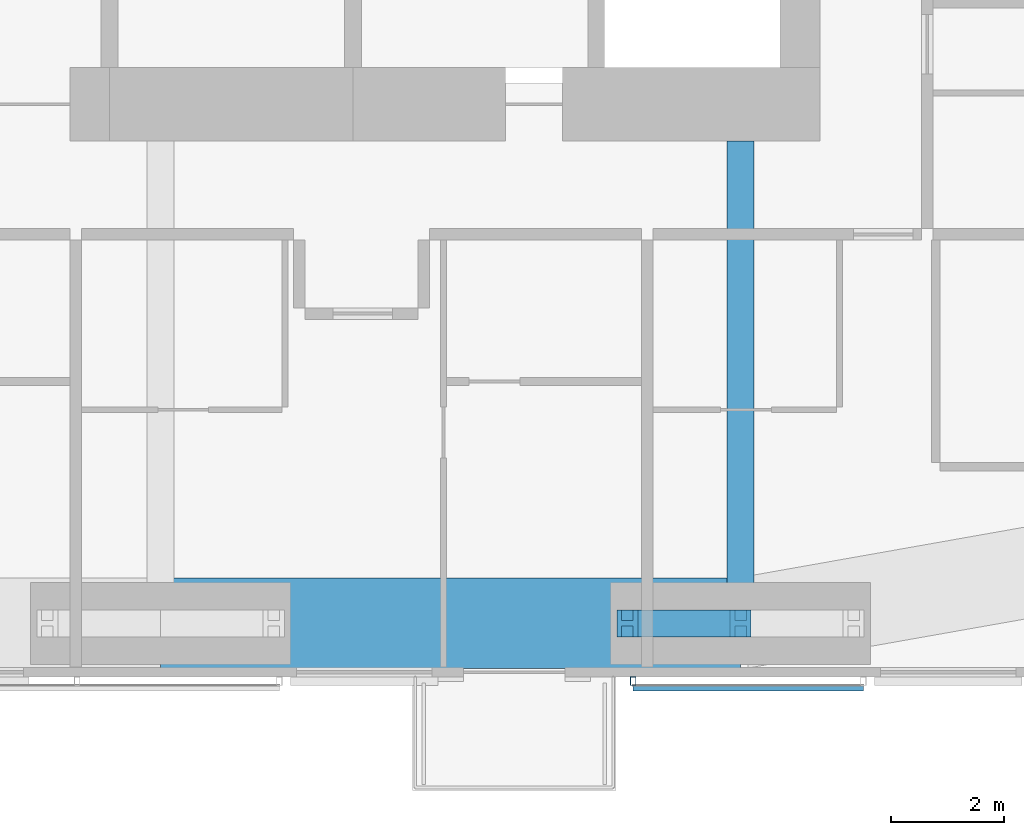
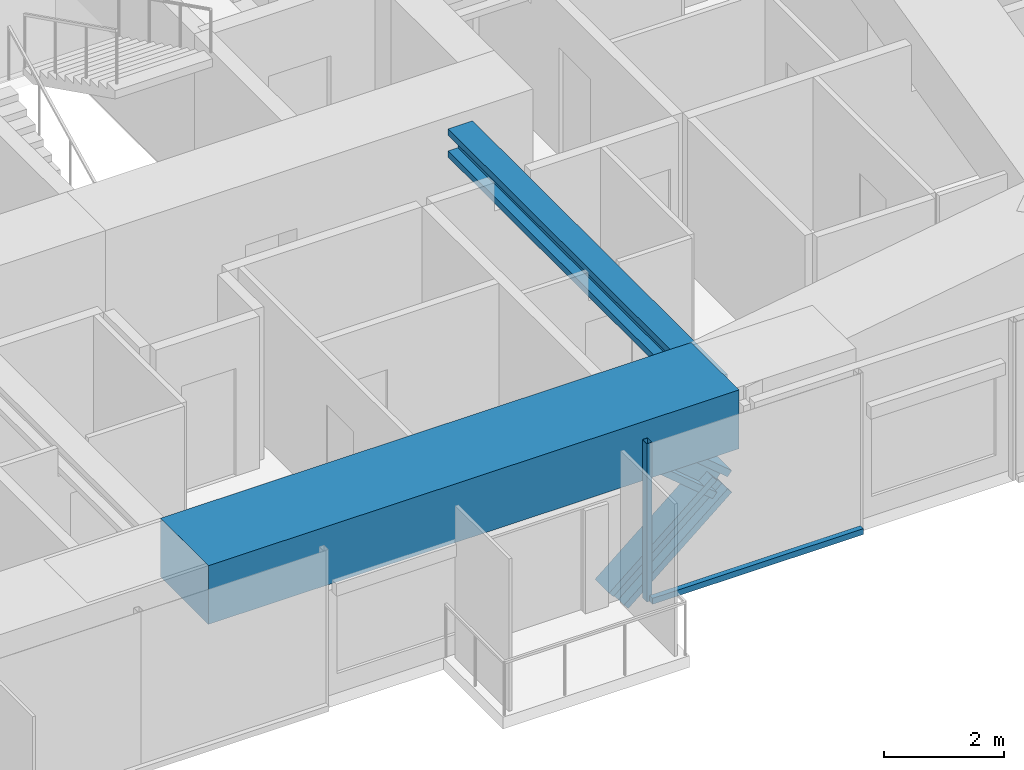
# One storey, part 4 of 23: 4 members, 2 beams, 1 element without a shape of its own.
"""IFC4 building model written with IfcOpenShell, lengths in metres."""

from ifc_helpers import new_model, si_unit, direction, frame, origin, origin_2d, place, context, subcontext, project, spatial, rectangle, hollow_rectangle, i_section, extrude, material, material_profile, profile_set, type_object, element, aggregate, save


model = new_model("IFC4")

# Units and contexts
model_context = context("Model", 3, precision=1e-05, world=origin(), true_north=direction((0.0, 1.0)))
body_context = subcontext(model_context, "Body", "Model", "MODEL_VIEW")
ifc_project = project(units=[si_unit("LENGTHUNIT", "METRE"), si_unit("AREAUNIT", "SQUARE_METRE"), si_unit("VOLUMEUNIT", "CUBIC_METRE"), si_unit("PLANEANGLEUNIT", "RADIAN"), si_unit("MASSUNIT", "GRAM", prefix="KILO")], contexts=[model_context])

# Site, building, storey
site_placement = place(None, origin())
site = spatial("IfcSite", under=ifc_project, at=site_placement, CompositionType="ELEMENT")
building_placement = place(site_placement, origin())
building = spatial("IfcBuilding", under=site, at=building_placement, Name="Jalousie Tower", CompositionType="ELEMENT")
storey_placement = place(building_placement, frame((0.0, 0.0, 157.699951171875)))
storey = spatial("IfcBuildingStorey", under=building, at=storey_placement, Name="L42", CompositionType="ELEMENT", Elevation=157.699951171875)

# Beam
ifc_material_1 = material(Name="Steel ASTM A992 Grade 50", Category="steel")
ifc_material_profile_1 = material_profile(ifc_material_1, i_section(OverallWidth=0.472412109375, OverallDepth=0.5791015625, WebThickness=0.094970703125, FlangeThickness=0.1298828125, at=origin_2d()), Name="W14X808")
ifc_profile_set_1 = profile_set([ifc_material_profile_1], Name="Steel ASTM A992 Grade 50")
beam_type_1 = type_object("IfcBeamType", Name="LEAN COLLECTOR W14X808", PredefinedType="BEAM", material=ifc_profile_set_1)
beam_1_placement = place(storey_placement, frame((42.75, 0.949951171875, 2.820556640625), z_axis=(0.0, 1.0, 0.0), x_axis=(-1.0, 0.0, 0.0)))
element("IfcBeam", 1, at=beam_1_placement, inside=storey, type_object=beam_type_1, Name="Lean collector under L43", PredefinedType="BEAM", context=body_context, shape_type="SweptSolid", body=[
    extrude(i_section(OverallWidth=0.472412109375, OverallDepth=0.5791015625, WebThickness=0.094970703125, FlangeThickness=0.1298828125, at=origin_2d()), origin(), (0.0, 0.0, 1.0), 8.525146484375),
])

# Members
ifc_material_2 = material(Name="Steel ASTM A992 Grade 50", Category="steel")
ifc_material_profile_2 = material_profile(ifc_material_2, i_section(OverallWidth=0.472412109375, OverallDepth=0.5791015625, WebThickness=0.094970703125, FlangeThickness=0.1298828125, at=origin_2d()), Name="W14X808")
ifc_profile_set_2 = profile_set([ifc_material_profile_2], Name="Steel ASTM A992 Grade 50")
member_type_1 = type_object("IfcMemberType", Name="PERIMETER BRACE W14X808", PredefinedType="BRACE", material=ifc_profile_set_2)
member_1_placement = place(storey_placement, frame((40.75, 0.949951171875, -0.599853515625), z_axis=(0.766684820047, 0.0, 0.642023665225), x_axis=(0.0, 1.0, 0.0)))
element("IfcMember", 2, at=member_1_placement, inside=storey, type_object=member_type_1, Name="Perimeter brace 04 L42 part 1", PredefinedType="BRACE", context=body_context, shape_type="SweptSolid", body=[
    extrude(i_section(OverallWidth=0.472412109375, OverallDepth=0.5791015625, WebThickness=0.094970703125, FlangeThickness=0.1298828125, at=origin_2d()), origin(), (0.0, 0.0, 1.0), 2.608642578125),
])
member_2_placement = place(storey_placement, frame((42.75, 0.949951171875, 1.074951171875), z_axis=(-0.766638753323, 0.0, 0.642078672674), x_axis=(0.0, -1.0, 0.0)))
element("IfcMember", 3, at=member_2_placement, inside=storey, type_object=member_type_1, Name="Perimeter brace 04 L42 part 4", PredefinedType="BRACE", context=body_context, shape_type="SweptSolid", body=[
    extrude(i_section(OverallWidth=0.472412109375, OverallDepth=0.5791015625, WebThickness=0.094970703125, FlangeThickness=0.1298828125, at=origin_2d()), origin(), (0.0, 0.0, 1.0), 2.60888671875),
])

# Beam
ifc_material_3 = material(Name="Concrete f'c 40 MPa", Category="concrete")
ifc_material_profile_3 = material_profile(ifc_material_3, rectangle(XDim=1.60009765625, YDim=1.199951171875, at=origin_2d()), Name="RC 1600x1200")
ifc_profile_set_3 = profile_set([ifc_material_profile_3], Name="Concrete f'c 40 MPa")
beam_type_2 = type_object("IfcBeamType", Name="RC BEAM 1600x1200", PredefinedType="BEAM", material=ifc_profile_set_3)
beam_2_placement = place(storey_placement, frame((32.5, 0.949951171875, 2.75), z_axis=(1.0, 0.0, 0.0), x_axis=(0.0, 1.0, 0.0)))
element("IfcBeam", 4, at=beam_2_placement, inside=storey, type_object=beam_type_2, Name="Edge band beam 03-04 under L43", PredefinedType="BEAM", context=body_context, shape_type="SweptSolid", body=[
    extrude(rectangle(XDim=1.60009765625, YDim=1.199951171875, at=origin_2d()), origin(), (0.0, 0.0, 1.0), 10.25),
])

# Curtain wall, members
ifc_material_4 = material(Name="Perforated aluminium sheet", Category="aluminium")
curtain_wall_type = type_object("IfcCurtainWallType", Name="SOLAR SCREEN SS-1", PredefinedType="USERDEFINED", material=ifc_material_4)
curtain_wall_placement = place(storey_placement, origin())
curtain_wall = element("IfcCurtainWall", 5, at=curtain_wall_placement, inside=storey, type_object=curtain_wall_type, Name="Solar screen L42", ObjectType="SOLAR SCREEN SS-1", PredefinedType="USERDEFINED")
ifc_material_5 = material(Name="Steel ASTM A500 Grade C", Category="steel")
ifc_material_profile_4 = material_profile(ifc_material_5, hollow_rectangle(XDim=0.1015625, YDim=0.15234375, WallThickness=0.00634765625, at=origin_2d()), Name="HSS6X4X1/4")
ifc_profile_set_4 = profile_set([ifc_material_profile_4], Name="Steel ASTM A500 Grade C")
member_type_2 = type_object("IfcMemberType", Name="SOLAR SCREEN SS-1 MULLION", PredefinedType="MULLION", material=ifc_profile_set_4)
member_3_placement = place(storey_placement, frame((40.85009765625, -0.0712890625, -0.119873046875), z_axis=(0.0, 0.0, 1.0), x_axis=(1.0, 0.0, 0.0)))
member_3 = element("IfcMember", 6, at=member_3_placement, type_object=member_type_2, Name="SS1 post 1", PredefinedType="MULLION", context=body_context, shape_type="SweptSolid", body=[
    extrude(hollow_rectangle(XDim=0.1015625, YDim=0.15234375, WallThickness=0.00634765625, at=origin_2d()), origin(), (0.0, 0.0, 1.0), 3.22998046875),
])
ifc_material_6 = material(Name="Extruded aluminium screen rail", Category="aluminium")
ifc_material_profile_5 = material_profile(ifc_material_6, rectangle(XDim=0.1015625, YDim=0.1201171875, at=origin_2d()), Name="RAIL 102x120")
ifc_profile_set_5 = profile_set([ifc_material_profile_5], Name="Extruded aluminium screen rail")
member_type_3 = type_object("IfcMemberType", Name="SOLAR SCREEN SS-1 TRANSOM", PredefinedType="USERDEFINED", material=ifc_profile_set_5)
member_4_placement = place(storey_placement, frame((40.85009765625, -0.1982421875, -0.06005859375), z_axis=(1.0, 0.0, 0.0), x_axis=(0.0, 1.0, 0.0)))
member_4 = element("IfcMember", 7, at=member_4_placement, type_object=member_type_3, Name="SS1 rail", ObjectType="TRANSOM", PredefinedType="USERDEFINED", context=body_context, shape_type="SweptSolid", body=[
    extrude(rectangle(XDim=0.1015625, YDim=0.1201171875, at=origin_2d()), origin(), (0.0, 0.0, 1.0), 4.071533203125),
])
aggregate(curtain_wall, [member_3, member_4])

save(model, "model.ifc")
